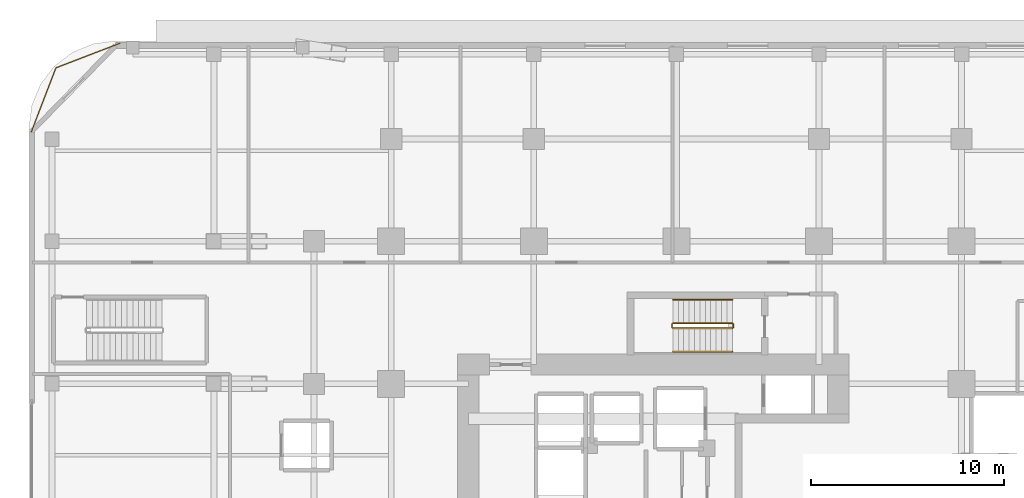
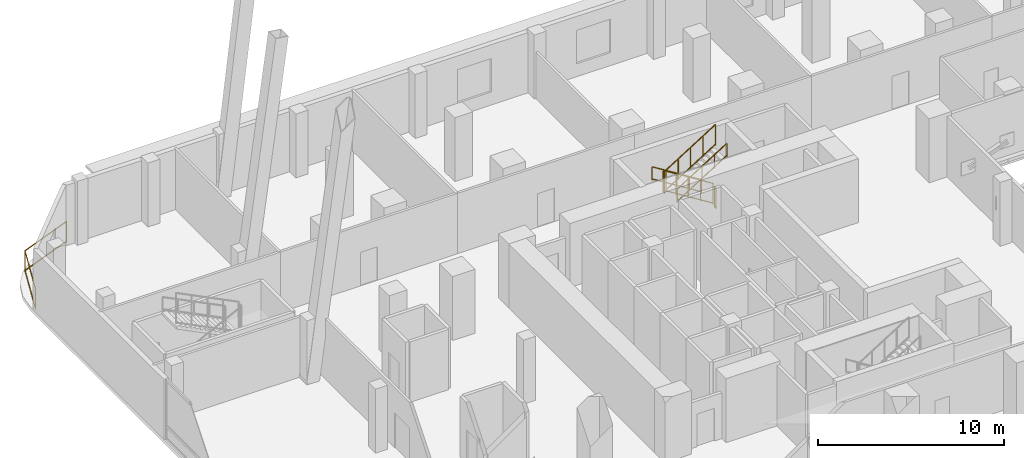
# One storey, part 20 of 23: 7 railings.
"""IFC4 building model written with IfcOpenShell, lengths in metres."""

import ifcopenshell
import ifcopenshell.guid

model = None  # the IFC model being written
_history = None  # IfcOwnerHistory: only IFC2X3 demands one
_inside = {}  # id of a spatial element -> (the spatial element, [elements in it])
_under = {}  # id of a project, library or spatial element -> (it, [spatial elements below it])
_declared = {}  # id of a project -> (the project, [libraries it declares])
_typed = {}  # id of a type object -> (the type object, [elements of that type])
_made_of = {}  # id of a material, layer set ... -> (it, [elements and type objects made of it])


def new_model(schema):
    """Start an empty IFC model of exactly this schema.

    Asked for "IFC4X3", IfcOpenShell would pick the latest addendum, in which some entities
    have other attributes; the version numbers below select the first issue.
    IFC2X3 requires an IfcOwnerHistory on every rooted entity: one is made here for all.
    """
    global model, _history
    if schema == "IFC4X3":
        model = ifcopenshell.file(schema_version=(4, 3, 0, 0))
    else:
        model = ifcopenshell.file(schema=schema)
    _inside.clear()
    _under.clear()
    _declared.clear()
    _typed.clear()
    _made_of.clear()
    _history = None
    if model.schema == "IFC2X3":
        org = make("IfcOrganization", Name="unknown")
        user = make(
            "IfcPersonAndOrganization",
            ThePerson=make("IfcPerson", FamilyName="unknown"),
            TheOrganization=org,
        )
        app = make(
            "IfcApplication",
            ApplicationDeveloper=org,
            Version="unknown",
            ApplicationFullName="unknown",
            ApplicationIdentifier="unknown",
        )
        _history = make(
            "IfcOwnerHistory",
            OwningUser=user,
            OwningApplication=app,
            ChangeAction="ADDED",
            CreationDate=0,
        )
    return model


def make(cls, **values):
    """One entity of the class cls with the attributes given. An attribute that is None is left unset."""
    return model.create_entity(
        cls, **{name: value for name, value in values.items() if value is not None}
    )


def rooted(cls, **values):
    """An entity with a GlobalId (a new one), such as an element, a storey or a relation."""
    return make(cls, GlobalId=ifcopenshell.guid.new(), OwnerHistory=_history, **values)


def si_unit(unit_type, name, prefix=None):
    """IfcSIUnit, for example si_unit("LENGTHUNIT", "METRE", prefix="MILLI")."""
    return make("IfcSIUnit", UnitType=unit_type, Prefix=prefix, Name=name)


def assignment(units):
    """IfcUnitAssignment: the units of a project."""
    return None if units is None else make("IfcUnitAssignment", Units=units)


def point(xyz):
    """IfcCartesianPoint."""
    return None if xyz is None else make("IfcCartesianPoint", Coordinates=xyz)


def direction(xyz):
    """IfcDirection."""
    return None if xyz is None else make("IfcDirection", DirectionRatios=xyz)


def frame(location, z_axis=None, x_axis=None):
    """IfcAxis2Placement3D, a coordinate frame: its origin and axes. An axis left out is left unset."""
    return make(
        "IfcAxis2Placement3D",
        Location=point(location),
        Axis=direction(z_axis),
        RefDirection=direction(x_axis),
    )


def frame_2d(location, x_axis=None):
    """IfcAxis2Placement2D, a coordinate frame in the plane: its origin and x axis."""
    return make(
        "IfcAxis2Placement2D", Location=point(location), RefDirection=direction(x_axis)
    )


def origin():
    """The frame at (0, 0, 0) with its axes left unset."""
    return frame((0.0, 0.0, 0.0))


def origin_2d():
    """The frame at (0, 0) in the plane with its x axis left unset."""
    return frame_2d((0.0, 0.0))


def place(relative_to, where):
    """IfcLocalPlacement: puts the frame where relative to a parent placement (None: the world)."""
    return make(
        "IfcLocalPlacement", PlacementRelTo=relative_to, RelativePlacement=where
    )


def context(
    kind, dimensions, precision=None, world=None, true_north=None, identifier=None
):
    """IfcGeometricRepresentationContext, for example the 3D "Model" context."""
    return make(
        "IfcGeometricRepresentationContext",
        ContextIdentifier=identifier,
        ContextType=kind,
        CoordinateSpaceDimension=dimensions,
        Precision=precision,
        WorldCoordinateSystem=world,
        TrueNorth=true_north,
    )


def subcontext(parent, identifier, kind, view, scale=None):
    """IfcGeometricRepresentationSubContext, for example "Body" below "Model"."""
    return make(
        "IfcGeometricRepresentationSubContext",
        ContextIdentifier=identifier,
        ContextType=kind,
        ParentContext=parent,
        TargetScale=scale,
        TargetView=view,
    )


def project(units=None, contexts=None):
    """IfcProject with its units and contexts."""
    return rooted(
        "IfcProject",
        Name="project",
        RepresentationContexts=contexts,
        UnitsInContext=assignment(units),
    )


def spatial(cls, under=None, at=None, **own):
    """A site, building, storey or space (cls), placed at a placement, below another one or the project."""
    s = rooted(cls, ObjectPlacement=at, **own)
    if under is not None:
        _under.setdefault(under.id(), (under, []))[1].append(s)
    return s


def profile(cls, at=None, kind="AREA", **sizes):
    """A parametric profile (cls). Its sizes go by their IFC names, for example OverallWidth=200.0."""
    return make(cls, ProfileType=kind, Position=at, **sizes)


def rectangle(**sizes):
    """IfcRectangleProfileDef."""
    return profile("IfcRectangleProfileDef", **sizes)


def extrude(swept, where, along, depth):
    """IfcExtrudedAreaSolid: the profile swept, set in the frame where, extruded along a direction by depth."""
    return make(
        "IfcExtrudedAreaSolid",
        SweptArea=swept,
        Position=where,
        ExtrudedDirection=direction(along),
        Depth=depth,
    )


def shape(context_of_items, identifier, shape_type, items):
    """IfcShapeRepresentation: the items that make up one representation, for example the "Body"."""
    return make(
        "IfcShapeRepresentation",
        ContextOfItems=context_of_items,
        RepresentationIdentifier=identifier,
        RepresentationType=shape_type,
        Items=items,
    )


def material(Name=None, Category=None):
    """IfcMaterial."""
    return make("IfcMaterial", Name=Name, Category=Category)


def made_of(thing, what):
    """Note that an element or type object is made of a material, layer set ...; save() writes the relation."""
    if what is not None:
        _made_of.setdefault(what.id(), (what, []))[1].append(thing)
    return thing


def type_object(cls, material=None, **own):
    """A type object (cls), such as IfcWallType, which elements share."""
    return made_of(rooted(cls, **own), material)


def element(
    cls,
    number,
    at=None,
    inside=None,
    cuts=None,
    type_object=None,
    material=None,
    context=None,
    identifier="Body",
    shape_type=None,
    held_by="IfcProductDefinitionShape",
    body=None,
    shapes=None,
    **own,
):
    """One element of the class cls, such as IfcWall. Its Tag is "e" and its number.

    at: its placement. inside: the storey or other place that contains it. cuts: it is an
    opening in that element (IfcRelVoidsElement). A single representation is given by context,
    identifier, shape_type and body (its items); several are given by shapes. held_by: the class
    of the entity that holds the representations. save() writes the other relations.
    """
    e = rooted(cls, Tag="e%d" % number, ObjectPlacement=at, **own)
    if body is not None:
        shapes = [shape(context, identifier, shape_type, body)]
    if shapes is not None:
        e.Representation = make(held_by, Representations=shapes)
    if inside is not None:
        _inside.setdefault(inside.id(), (inside, []))[1].append(e)
    if cuts is not None:
        rooted(
            "IfcRelVoidsElement", RelatingBuildingElement=cuts, RelatedOpeningElement=e
        )
    if type_object is not None:
        _typed.setdefault(type_object.id(), (type_object, []))[1].append(e)
    return made_of(e, material)


def aggregate(whole, parts):
    """IfcRelAggregates: a whole, such as a stair, and the parts it consists of."""
    return rooted("IfcRelAggregates", RelatingObject=whole, RelatedObjects=parts)


def save(model, path):
    """Write the relations noted so far, then the file.

    IfcRelAggregates (storeys below a building ...), IfcRelContainedInSpatialStructure (elements
    in a storey), IfcRelDefinesByType, IfcRelAssociatesMaterial and IfcRelDeclares: one each for
    every whole, place, type object, material and project.
    """
    for whole, parts in _under.values():
        aggregate(whole, parts)
    for where, things in _inside.values():
        rooted(
            "IfcRelContainedInSpatialStructure",
            RelatedElements=things,
            RelatingStructure=where,
        )
    for kind, things in _typed.values():
        rooted("IfcRelDefinesByType", RelatedObjects=things, RelatingType=kind)
    for what, things in _made_of.values():
        rooted("IfcRelAssociatesMaterial", RelatedObjects=things, RelatingMaterial=what)
    for by, libraries in _declared.values():
        rooted("IfcRelDeclares", RelatingContext=by, RelatedDefinitions=libraries)
    model.write(path)


model = new_model("IFC4")

# Units and contexts
model_context = context("Model", 3, precision=1e-05, world=origin(), true_north=direction((0.0, 1.0)))
body_context = subcontext(model_context, "Body", "Model", "MODEL_VIEW")
ifc_project = project(units=[si_unit("LENGTHUNIT", "METRE"), si_unit("AREAUNIT", "SQUARE_METRE"), si_unit("VOLUMEUNIT", "CUBIC_METRE"), si_unit("PLANEANGLEUNIT", "RADIAN"), si_unit("MASSUNIT", "GRAM", prefix="KILO")], contexts=[model_context])

# Site, building, storey
site_placement = place(None, origin())
site = spatial("IfcSite", under=ifc_project, at=site_placement, CompositionType="ELEMENT")
building_placement = place(site_placement, origin())
building = spatial("IfcBuilding", under=site, at=building_placement, Name="Khorvyn Point Tower", CompositionType="ELEMENT")
storey_placement = place(building_placement, frame((0.0, 0.0, 9.0)))
storey = spatial("IfcBuildingStorey", under=building, at=storey_placement, Name="L03", CompositionType="ELEMENT", Elevation=9.0)

# Railings
ifc_material_1 = material(Name="Anodised aluminium 6063-T6 and laminated safety glass", Category="aluminium")
railing_type_1 = type_object("IfcRailingType", Name="Laminated Glass and Aluminium Balcony Guardrail 1400", PredefinedType="BALUSTRADE", material=ifc_material_1)
railing_1_placement = place(storey_placement, frame((-28.870849609375, 25.073974609375, 0.0)))
element("IfcRailing", 1, at=railing_1_placement, inside=storey, type_object=railing_type_1, Name="L03 Rounded Corner Edge Guardrail NW", PredefinedType="BALUSTRADE", context=body_context, shape_type="SweptSolid", body=[
    extrude(rectangle(XDim=0.048095703125, YDim=0.048095703125, at=origin_2d()), frame((0.0, 0.0, 1.3759765625), z_axis=(-0.933575007025, -0.358382067435, 0.0), x_axis=(0.358382067435, -0.933575007025, 0.0)), (0.0, 0.0, 1.0), 3.562744140625),
    extrude(rectangle(XDim=0.048095703125, YDim=0.048095703125, at=origin_2d()), frame((0.0, 0.0, 0.080078125), z_axis=(-0.933575007025, -0.358382067435, 0.0), x_axis=(0.358382067435, -0.933575007025, 0.0)), (0.0, 0.0, 1.0), 3.562744140625),
    extrude(rectangle(XDim=0.048095703125, YDim=0.048095703125, at=origin_2d()), frame((-3.326171875, -1.27685546875, 1.3759765625), z_axis=(-0.35841886047, -0.933560882031, 0.0), x_axis=(0.933560882031, -0.35841886047, 0.0)), (0.0, 0.0, 1.0), 3.563232421875),
    extrude(rectangle(XDim=0.048095703125, YDim=0.048095703125, at=origin_2d()), frame((-3.326171875, -1.27685546875, 0.080078125), z_axis=(-0.35841886047, -0.933560882031, 0.0), x_axis=(0.933560882031, -0.35841886047, 0.0)), (0.0, 0.0, 1.0), 3.563232421875),
    extrude(rectangle(XDim=0.0419921875, YDim=0.0419921875, at=origin_2d()), origin(), (0.0, 0.0, 1.0), 1.351806640625),
    extrude(rectangle(XDim=0.0419921875, YDim=0.0419921875, at=origin_2d()), frame((-3.326171875, -1.27685546875, 0.0)), (0.0, 0.0, 1.0), 1.351806640625),
    extrude(rectangle(XDim=0.0419921875, YDim=0.0419921875, at=origin_2d()), frame((-4.603271484375, -4.603271484375, 0.0)), (0.0, 0.0, 1.0), 1.351806640625),
])
ifc_material_2 = material(Name="Stainless steel 1.4301", Category="steel")
railing_type_2 = type_object("IfcRailingType", Name="Stainless Steel 304 Stair Pitch Handrail 900", PredefinedType="HANDRAIL", material=ifc_material_2)
railing_2_placement = place(storey_placement, frame((2.89990234375, 11.77001953125, 0.175048828125)))
element("IfcRailing", 2, at=railing_2_placement, inside=storey, type_object=railing_type_2, Name="L03 ST-02 stair handrail 1", PredefinedType="HANDRAIL", context=body_context, shape_type="SweptSolid", body=[
    extrude(rectangle(XDim=0.048095703125, YDim=0.048095703125, at=origin_2d()), frame((0.0, 0.0, 0.8759765625), z_axis=(-0.847979421464, 0.0, 0.530029150871), x_axis=(0.0, -1.0, 0.0)), (0.0, 0.0, 1.0), 3.632080078125),
    extrude(rectangle(XDim=0.048095703125, YDim=0.048095703125, at=origin_2d()), frame((0.0, 0.0, 0.080078125), z_axis=(-0.847979421464, 0.0, 0.530029150871), x_axis=(0.0, -1.0, 0.0)), (0.0, 0.0, 1.0), 3.632080078125),
    extrude(rectangle(XDim=0.0419921875, YDim=0.0419921875, at=origin_2d()), origin(), (0.0, 0.0, 1.0), 0.851806640625),
    extrude(rectangle(XDim=0.0419921875, YDim=0.0419921875, at=origin_2d()), frame((-0.77001953125, 0.0, 0.481201171875)), (0.0, 0.0, 1.0), 0.851806640625),
    extrude(rectangle(XDim=0.0419921875, YDim=0.0419921875, at=origin_2d()), frame((-1.5400390625, 0.0, 0.96240234375)), (0.0, 0.0, 1.0), 0.851806640625),
    extrude(rectangle(XDim=0.0419921875, YDim=0.0419921875, at=origin_2d()), frame((-2.309814453125, 0.0, 1.44384765625)), (0.0, 0.0, 1.0), 0.851806640625),
    extrude(rectangle(XDim=0.0419921875, YDim=0.0419921875, at=origin_2d()), frame((-3.079833984375, 0.0, 1.925048828125)), (0.0, 0.0, 1.0), 0.851806640625),
])
railing_3_placement = place(storey_placement, frame((-0.179931640625, 9.070068359375, 2.27490234375)))
element("IfcRailing", 3, at=railing_3_placement, inside=storey, type_object=railing_type_2, Name="L03 ST-02 stair handrail 2", PredefinedType="HANDRAIL", context=body_context, shape_type="SweptSolid", body=[
    extrude(rectangle(XDim=0.048095703125, YDim=0.048095703125, at=origin_2d()), frame((0.0, 0.0, 0.8759765625), z_axis=(0.847979421464, 0.0, 0.530029150871), x_axis=(0.0, 1.0, 0.0)), (0.0, 0.0, 1.0), 3.632080078125),
    extrude(rectangle(XDim=0.048095703125, YDim=0.048095703125, at=origin_2d()), frame((0.0, 0.0, 0.080078125), z_axis=(0.847979421464, 0.0, 0.530029150871), x_axis=(0.0, 1.0, 0.0)), (0.0, 0.0, 1.0), 3.632080078125),
    extrude(rectangle(XDim=0.0419921875, YDim=0.0419921875, at=origin_2d()), origin(), (0.0, 0.0, 1.0), 0.851806640625),
    extrude(rectangle(XDim=0.0419921875, YDim=0.0419921875, at=origin_2d()), frame((0.77001953125, 0.0, 0.481201171875)), (0.0, 0.0, 1.0), 0.851806640625),
    extrude(rectangle(XDim=0.0419921875, YDim=0.0419921875, at=origin_2d()), frame((1.5400390625, 0.0, 0.96240234375)), (0.0, 0.0, 1.0), 0.851806640625),
    extrude(rectangle(XDim=0.0419921875, YDim=0.0419921875, at=origin_2d()), frame((2.309814453125, 0.0, 1.44384765625)), (0.0, 0.0, 1.0), 0.851806640625),
    extrude(rectangle(XDim=0.0419921875, YDim=0.0419921875, at=origin_2d()), frame((3.079833984375, 0.0, 1.925048828125)), (0.0, 0.0, 1.0), 0.851806640625),
])
railing_type_3 = type_object("IfcRailingType", Name="Stainless Steel 304 Stair Well Guardrail 1400", PredefinedType="GUARDRAIL", material=ifc_material_2)
railing_4_placement = place(storey_placement, frame((2.89990234375, 10.550048828125, 0.175048828125)))
element("IfcRailing", 4, at=railing_4_placement, inside=storey, type_object=railing_type_3, Name="L03 ST-02 stair guard 1", PredefinedType="GUARDRAIL", context=body_context, shape_type="SweptSolid", body=[
    extrude(rectangle(XDim=0.048095703125, YDim=0.048095703125, at=origin_2d()), frame((0.0, 0.0, 1.3759765625), z_axis=(-0.847979421464, 0.0, 0.530029150871), x_axis=(0.0, -1.0, 0.0)), (0.0, 0.0, 1.0), 3.632080078125),
    extrude(rectangle(XDim=0.048095703125, YDim=0.048095703125, at=origin_2d()), frame((0.0, 0.0, 0.080078125), z_axis=(-0.847979421464, 0.0, 0.530029150871), x_axis=(0.0, -1.0, 0.0)), (0.0, 0.0, 1.0), 3.632080078125),
    extrude(rectangle(XDim=0.0419921875, YDim=0.0419921875, at=origin_2d()), origin(), (0.0, 0.0, 1.0), 1.351806640625),
    extrude(rectangle(XDim=0.0419921875, YDim=0.0419921875, at=origin_2d()), frame((-0.77001953125, 0.0, 0.481201171875)), (0.0, 0.0, 1.0), 1.351806640625),
    extrude(rectangle(XDim=0.0419921875, YDim=0.0419921875, at=origin_2d()), frame((-1.5400390625, 0.0, 0.96240234375)), (0.0, 0.0, 1.0), 1.351806640625),
    extrude(rectangle(XDim=0.0419921875, YDim=0.0419921875, at=origin_2d()), frame((-2.309814453125, 0.0, 1.44384765625)), (0.0, 0.0, 1.0), 1.351806640625),
    extrude(rectangle(XDim=0.0419921875, YDim=0.0419921875, at=origin_2d()), frame((-3.079833984375, 0.0, 1.925048828125)), (0.0, 0.0, 1.0), 1.351806640625),
])
railing_5_placement = place(storey_placement, frame((-0.22998046875, 10.5, 2.10009765625)))
element("IfcRailing", 5, at=railing_5_placement, inside=storey, type_object=railing_type_3, Name="L03 ST-02 stair guard 2", PredefinedType="GUARDRAIL", context=body_context, shape_type="SweptSolid", body=[
    extrude(rectangle(XDim=0.048095703125, YDim=0.048095703125, at=origin_2d()), frame((0.0, 0.0, 1.3759765625), z_axis=(0.0, -1.0, 0.0), x_axis=(1.0, 0.0, 0.0)), (0.0, 0.0, 1.0), 0.159912109375),
    extrude(rectangle(XDim=0.048095703125, YDim=0.048095703125, at=origin_2d()), frame((0.0, 0.0, 0.080078125), z_axis=(0.0, -1.0, 0.0), x_axis=(1.0, 0.0, 0.0)), (0.0, 0.0, 1.0), 0.159912109375),
    extrude(rectangle(XDim=0.0419921875, YDim=0.0419921875, at=origin_2d()), origin(), (0.0, 0.0, 1.0), 1.351806640625),
    extrude(rectangle(XDim=0.0419921875, YDim=0.0419921875, at=origin_2d()), frame((0.0, -0.159912109375, 0.0)), (0.0, 0.0, 1.0), 1.351806640625),
])
railing_6_placement = place(storey_placement, frame((-0.179931640625, 10.2900390625, 2.27490234375)))
element("IfcRailing", 6, at=railing_6_placement, inside=storey, type_object=railing_type_3, Name="L03 ST-02 stair guard 3", PredefinedType="GUARDRAIL", context=body_context, shape_type="SweptSolid", body=[
    extrude(rectangle(XDim=0.048095703125, YDim=0.048095703125, at=origin_2d()), frame((0.0, 0.0, 1.3759765625), z_axis=(0.847979421464, 0.0, 0.530029150871), x_axis=(0.0, 1.0, 0.0)), (0.0, 0.0, 1.0), 3.632080078125),
    extrude(rectangle(XDim=0.048095703125, YDim=0.048095703125, at=origin_2d()), frame((0.0, 0.0, 0.080078125), z_axis=(0.847979421464, 0.0, 0.530029150871), x_axis=(0.0, 1.0, 0.0)), (0.0, 0.0, 1.0), 3.632080078125),
    extrude(rectangle(XDim=0.0419921875, YDim=0.0419921875, at=origin_2d()), origin(), (0.0, 0.0, 1.0), 1.351806640625),
    extrude(rectangle(XDim=0.0419921875, YDim=0.0419921875, at=origin_2d()), frame((0.77001953125, 0.0, 0.481201171875)), (0.0, 0.0, 1.0), 1.351806640625),
    extrude(rectangle(XDim=0.0419921875, YDim=0.0419921875, at=origin_2d()), frame((1.5400390625, 0.0, 0.96240234375)), (0.0, 0.0, 1.0), 1.351806640625),
    extrude(rectangle(XDim=0.0419921875, YDim=0.0419921875, at=origin_2d()), frame((2.309814453125, 0.0, 1.44384765625)), (0.0, 0.0, 1.0), 1.351806640625),
    extrude(rectangle(XDim=0.0419921875, YDim=0.0419921875, at=origin_2d()), frame((3.079833984375, 0.0, 1.925048828125)), (0.0, 0.0, 1.0), 1.351806640625),
])
railing_7_placement = place(storey_placement, frame((2.949951171875, 10.5, 0.0)))
element("IfcRailing", 7, at=railing_7_placement, inside=storey, type_object=railing_type_3, Name="L03 ST-02 stair guard 4", PredefinedType="GUARDRAIL", context=body_context, shape_type="SweptSolid", body=[
    extrude(rectangle(XDim=0.048095703125, YDim=0.048095703125, at=origin_2d()), frame((0.0, 0.0, 1.3759765625), z_axis=(0.0, -1.0, 0.0), x_axis=(1.0, 0.0, 0.0)), (0.0, 0.0, 1.0), 0.159912109375),
    extrude(rectangle(XDim=0.048095703125, YDim=0.048095703125, at=origin_2d()), frame((0.0, 0.0, 0.080078125), z_axis=(0.0, -1.0, 0.0), x_axis=(1.0, 0.0, 0.0)), (0.0, 0.0, 1.0), 0.159912109375),
    extrude(rectangle(XDim=0.0419921875, YDim=0.0419921875, at=origin_2d()), origin(), (0.0, 0.0, 1.0), 1.351806640625),
    extrude(rectangle(XDim=0.0419921875, YDim=0.0419921875, at=origin_2d()), frame((0.0, -0.159912109375, 0.0)), (0.0, 0.0, 1.0), 1.351806640625),
])

save(model, "model.ifc")
